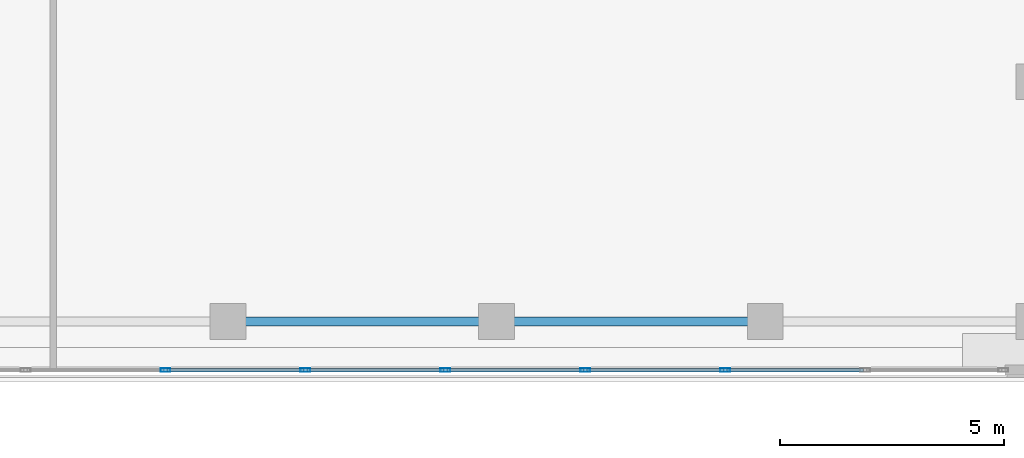
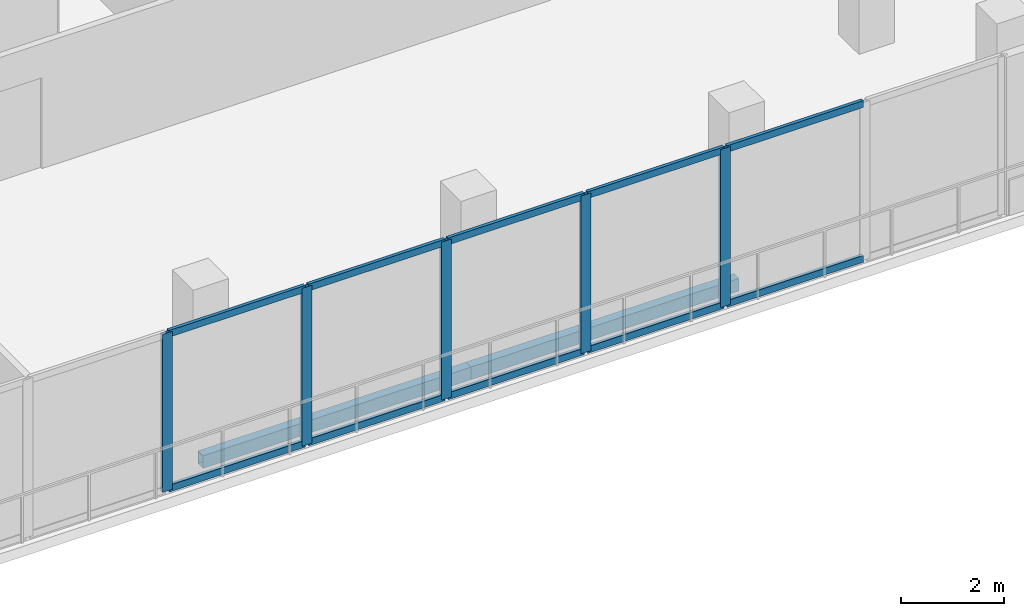
# One storey, part 8 of 26: 15 members, 2 beams, 1 element without a shape of its own.
"""IFC4 building model written with IfcOpenShell, lengths in metres."""

from ifc_helpers import new_model, si_unit, direction, frame, origin, origin_2d, place, context, subcontext, project, spatial, hollow_rectangle, extrude, material, layer, layer_set, material_profile, profile_set, type_object, element, aggregate, save


model = new_model("IFC4")

# Units and contexts
model_context = context("Model", 3, precision=1e-05, world=origin(), true_north=direction((0.0, 1.0)))
body_context = subcontext(model_context, "Body", "Model", "MODEL_VIEW")
ifc_project = project(units=[si_unit("LENGTHUNIT", "METRE"), si_unit("AREAUNIT", "SQUARE_METRE"), si_unit("VOLUMEUNIT", "CUBIC_METRE"), si_unit("PLANEANGLEUNIT", "RADIAN"), si_unit("MASSUNIT", "GRAM", prefix="KILO")], contexts=[model_context])

# Site, building, storey
site_placement = place(None, origin())
site = spatial("IfcSite", under=ifc_project, at=site_placement, CompositionType="ELEMENT")
building_placement = place(site_placement, origin())
building = spatial("IfcBuilding", under=site, at=building_placement, Name="Tanjung Sevakor Pilgrim Tower", CompositionType="ELEMENT")
storey_placement = place(building_placement, frame((0.0, 0.0, 177.8701171875)))
storey = spatial("IfcBuildingStorey", under=building, at=storey_placement, Name="L49", CompositionType="ELEMENT", Elevation=177.8701171875)

# Beams
ifc_material_1 = material(Name="Steel S355J2", Category="steel")
ifc_material_profile_1 = material_profile(ifc_material_1, hollow_rectangle(XDim=0.199951171875, YDim=0.300048828125, WallThickness=0.012451171875, at=origin_2d()))
ifc_profile_set_1 = profile_set([ifc_material_profile_1], Name="Steel S355J2")
beam_type = type_object("IfcBeamType", Name="BM-B-SP3-RHS_300x200x12.5", PredefinedType="SPANDREL", material=ifc_profile_set_1)
for number, where, z_axis, x_axis, name in (
    (1, (72.0, 13.25, -0.43017578125), (1.0, 0.0, 0.0), (0.0, 1.0, 0.0), "L49 Spandrel MAIN S-11"),
    (2, (78.0, 13.25, -0.43017578125), (1.0, 0.0, 0.0), (0.0, 1.0, 0.0), "L49 Spandrel MAIN S-13"),
):
    element("IfcBeam", number, at=place(storey_placement, frame(where, z_axis=z_axis, x_axis=x_axis)), inside=storey, type_object=beam_type, Name=name, PredefinedType="SPANDREL", context=body_context, shape_type="SweptSolid", body=[
        extrude(hollow_rectangle(XDim=0.199951171875, YDim=0.300048828125, WallThickness=0.012451171875, at=origin_2d()), origin(), (0.0, 0.0, 1.0), 6.0),
    ])

# Curtain wall, members
ifc_material_2 = material(Name="Aluminium 6063-T6 and Low-E Glass", Category="aluminium")
ifc_layer = layer(ifc_material_2, 0.199951171875)
ifc_layer_set = layer_set([ifc_layer], Name="CW-SYS-SKY")
curtain_wall_type = type_object("IfcCurtainWallType", Name="CW-SYS-SKY", PredefinedType="NOTDEFINED", material=ifc_layer_set)
curtain_wall_placement = place(storey_placement, origin())
curtain_wall = element("IfcCurtainWall", 3, at=curtain_wall_placement, inside=storey, type_object=curtain_wall_type, Name="L49 Curtain Wall CW-SKY-L49-S", PredefinedType="NOTDEFINED")
ifc_material_3 = material(Name="Aluminium 6063-T6", Category="aluminium")
ifc_material_profile_2 = material_profile(ifc_material_3, hollow_rectangle(XDim=0.074951171875, YDim=0.219970703125, WallThickness=0.0048828125, at=origin_2d()))
ifc_profile_set_2 = profile_set([ifc_material_profile_2], Name="Aluminium 6063-T6")
member_type_1 = type_object("IfcMemberType", Name="TYPE-CWM-2", PredefinedType="MULLION", material=ifc_profile_set_2)
member_1_placement = place(storey_placement, frame((70.607666015625, 12.159912109375, 0.0), z_axis=(0.0, 0.0, 1.0), x_axis=(0.0, 1.0, 0.0)))
member_1 = element("IfcMember", 4, at=member_1_placement, type_object=member_type_1, Name="CW-SKY mullion 5", PredefinedType="MULLION", context=body_context, shape_type="SweptSolid", body=[
    extrude(hollow_rectangle(XDim=0.074951171875, YDim=0.219970703125, WallThickness=0.0048828125, at=origin_2d()), origin(), (0.0, 0.0, 1.0), 3.739990234375),
])
member_2_placement = place(storey_placement, frame((73.732177734375, 12.159912109375, 0.0), z_axis=(0.0, 0.0, 1.0), x_axis=(0.0, 1.0, 0.0)))
member_2 = element("IfcMember", 5, at=member_2_placement, type_object=member_type_1, Name="CW-SKY mullion 6", PredefinedType="MULLION", context=body_context, shape_type="SweptSolid", body=[
    extrude(hollow_rectangle(XDim=0.074951171875, YDim=0.219970703125, WallThickness=0.0048828125, at=origin_2d()), origin(), (0.0, 0.0, 1.0), 3.739990234375),
])
member_3_placement = place(storey_placement, frame((76.856689453125, 12.159912109375, 0.0), z_axis=(0.0, 0.0, 1.0), x_axis=(0.0, 1.0, 0.0)))
member_3 = element("IfcMember", 6, at=member_3_placement, type_object=member_type_1, Name="CW-SKY mullion 7", PredefinedType="MULLION", context=body_context, shape_type="SweptSolid", body=[
    extrude(hollow_rectangle(XDim=0.074951171875, YDim=0.219970703125, WallThickness=0.0048828125, at=origin_2d()), origin(), (0.0, 0.0, 1.0), 3.739990234375),
])
member_4_placement = place(storey_placement, frame((79.981201171875, 12.159912109375, 0.0), z_axis=(0.0, 0.0, 1.0), x_axis=(0.0, 1.0, 0.0)))
member_4 = element("IfcMember", 7, at=member_4_placement, type_object=member_type_1, Name="CW-SKY mullion 8", PredefinedType="MULLION", context=body_context, shape_type="SweptSolid", body=[
    extrude(hollow_rectangle(XDim=0.074951171875, YDim=0.219970703125, WallThickness=0.0048828125, at=origin_2d()), origin(), (0.0, 0.0, 1.0), 3.739990234375),
])
member_5_placement = place(storey_placement, frame((83.10546875, 12.159912109375, 0.0), z_axis=(0.0, 0.0, 1.0), x_axis=(0.0, 1.0, 0.0)))
member_5 = element("IfcMember", 8, at=member_5_placement, type_object=member_type_1, Name="CW-SKY mullion 9", PredefinedType="MULLION", context=body_context, shape_type="SweptSolid", body=[
    extrude(hollow_rectangle(XDim=0.074951171875, YDim=0.219970703125, WallThickness=0.0048828125, at=origin_2d()), origin(), (0.0, 0.0, 1.0), 3.739990234375),
])
ifc_material_4 = material(Name="Aluminium 6063-T6", Category="aluminium")
ifc_material_profile_3 = material_profile(ifc_material_4, hollow_rectangle(XDim=0.074951171875, YDim=0.159912109375, WallThickness=0.00439453125, at=origin_2d()))
ifc_profile_set_3 = profile_set([ifc_material_profile_3], Name="Aluminium 6063-T6")
member_type_2 = type_object("IfcMemberType", Name="TYPE-CWT-2", PredefinedType="USERDEFINED", material=ifc_profile_set_3)
member_6_placement = place(storey_placement, frame((70.645263671875, 12.159912109375, 0.037353515625), z_axis=(1.0, 0.0, 0.0), x_axis=(0.0, 1.0, 0.0)))
member_6 = element("IfcMember", 9, at=member_6_placement, type_object=member_type_2, Name="CW-SKY transom 5.1", ObjectType="TRANSOM", PredefinedType="USERDEFINED", context=body_context, shape_type="SweptSolid", body=[
    extrude(hollow_rectangle(XDim=0.074951171875, YDim=0.159912109375, WallThickness=0.00439453125, at=origin_2d()), origin(), (0.0, 0.0, 1.0), 3.04931640625),
])
member_7_placement = place(storey_placement, frame((70.645263671875, 12.159912109375, 3.702392578125), z_axis=(1.0, 0.0, 0.0), x_axis=(0.0, 1.0, 0.0)))
member_7 = element("IfcMember", 10, at=member_7_placement, type_object=member_type_2, Name="CW-SKY transom 5.2", ObjectType="TRANSOM", PredefinedType="USERDEFINED", context=body_context, shape_type="SweptSolid", body=[
    extrude(hollow_rectangle(XDim=0.074951171875, YDim=0.159912109375, WallThickness=0.00439453125, at=origin_2d()), origin(), (0.0, 0.0, 1.0), 3.04931640625),
])
member_8_placement = place(storey_placement, frame((73.769775390625, 12.159912109375, 0.037353515625), z_axis=(1.0, 0.0, 0.0), x_axis=(0.0, 1.0, 0.0)))
member_8 = element("IfcMember", 11, at=member_8_placement, type_object=member_type_2, Name="CW-SKY transom 6.1", ObjectType="TRANSOM", PredefinedType="USERDEFINED", context=body_context, shape_type="SweptSolid", body=[
    extrude(hollow_rectangle(XDim=0.074951171875, YDim=0.159912109375, WallThickness=0.00439453125, at=origin_2d()), origin(), (0.0, 0.0, 1.0), 3.04931640625),
])
member_9_placement = place(storey_placement, frame((73.769775390625, 12.159912109375, 3.702392578125), z_axis=(1.0, 0.0, 0.0), x_axis=(0.0, 1.0, 0.0)))
member_9 = element("IfcMember", 12, at=member_9_placement, type_object=member_type_2, Name="CW-SKY transom 6.2", ObjectType="TRANSOM", PredefinedType="USERDEFINED", context=body_context, shape_type="SweptSolid", body=[
    extrude(hollow_rectangle(XDim=0.074951171875, YDim=0.159912109375, WallThickness=0.00439453125, at=origin_2d()), origin(), (0.0, 0.0, 1.0), 3.04931640625),
])
member_10_placement = place(storey_placement, frame((76.89404296875, 12.159912109375, 0.037353515625), z_axis=(1.0, 0.0, 0.0), x_axis=(0.0, 1.0, 0.0)))
member_10 = element("IfcMember", 13, at=member_10_placement, type_object=member_type_2, Name="CW-SKY transom 7.1", ObjectType="TRANSOM", PredefinedType="USERDEFINED", context=body_context, shape_type="SweptSolid", body=[
    extrude(hollow_rectangle(XDim=0.074951171875, YDim=0.159912109375, WallThickness=0.00439453125, at=origin_2d()), origin(), (0.0, 0.0, 1.0), 3.049560546875),
])
member_11_placement = place(storey_placement, frame((76.89404296875, 12.159912109375, 3.702392578125), z_axis=(1.0, 0.0, 0.0), x_axis=(0.0, 1.0, 0.0)))
member_11 = element("IfcMember", 14, at=member_11_placement, type_object=member_type_2, Name="CW-SKY transom 7.2", ObjectType="TRANSOM", PredefinedType="USERDEFINED", context=body_context, shape_type="SweptSolid", body=[
    extrude(hollow_rectangle(XDim=0.074951171875, YDim=0.159912109375, WallThickness=0.00439453125, at=origin_2d()), origin(), (0.0, 0.0, 1.0), 3.049560546875),
])
member_12_placement = place(storey_placement, frame((80.0185546875, 12.159912109375, 0.037353515625), z_axis=(1.0, 0.0, 0.0), x_axis=(0.0, 1.0, 0.0)))
member_12 = element("IfcMember", 15, at=member_12_placement, type_object=member_type_2, Name="CW-SKY transom 8.1", ObjectType="TRANSOM", PredefinedType="USERDEFINED", context=body_context, shape_type="SweptSolid", body=[
    extrude(hollow_rectangle(XDim=0.074951171875, YDim=0.159912109375, WallThickness=0.00439453125, at=origin_2d()), origin(), (0.0, 0.0, 1.0), 3.049560546875),
])
member_13_placement = place(storey_placement, frame((80.0185546875, 12.159912109375, 3.702392578125), z_axis=(1.0, 0.0, 0.0), x_axis=(0.0, 1.0, 0.0)))
member_13 = element("IfcMember", 16, at=member_13_placement, type_object=member_type_2, Name="CW-SKY transom 8.2", ObjectType="TRANSOM", PredefinedType="USERDEFINED", context=body_context, shape_type="SweptSolid", body=[
    extrude(hollow_rectangle(XDim=0.074951171875, YDim=0.159912109375, WallThickness=0.00439453125, at=origin_2d()), origin(), (0.0, 0.0, 1.0), 3.049560546875),
])
member_14_placement = place(storey_placement, frame((83.14306640625, 12.159912109375, 0.037353515625), z_axis=(1.0, 0.0, 0.0), x_axis=(0.0, 1.0, 0.0)))
member_14 = element("IfcMember", 17, at=member_14_placement, type_object=member_type_2, Name="CW-SKY transom 9.1", ObjectType="TRANSOM", PredefinedType="USERDEFINED", context=body_context, shape_type="SweptSolid", body=[
    extrude(hollow_rectangle(XDim=0.074951171875, YDim=0.159912109375, WallThickness=0.00439453125, at=origin_2d()), origin(), (0.0, 0.0, 1.0), 3.04931640625),
])
member_15_placement = place(storey_placement, frame((83.14306640625, 12.159912109375, 3.702392578125), z_axis=(1.0, 0.0, 0.0), x_axis=(0.0, 1.0, 0.0)))
member_15 = element("IfcMember", 18, at=member_15_placement, type_object=member_type_2, Name="CW-SKY transom 9.2", ObjectType="TRANSOM", PredefinedType="USERDEFINED", context=body_context, shape_type="SweptSolid", body=[
    extrude(hollow_rectangle(XDim=0.074951171875, YDim=0.159912109375, WallThickness=0.00439453125, at=origin_2d()), origin(), (0.0, 0.0, 1.0), 3.04931640625),
])
aggregate(curtain_wall, [member_1, member_2, member_3, member_4, member_5, member_6, member_7, member_8, member_9, member_10, member_11, member_12, member_13, member_14, member_15])

save(model, "model.ifc")
